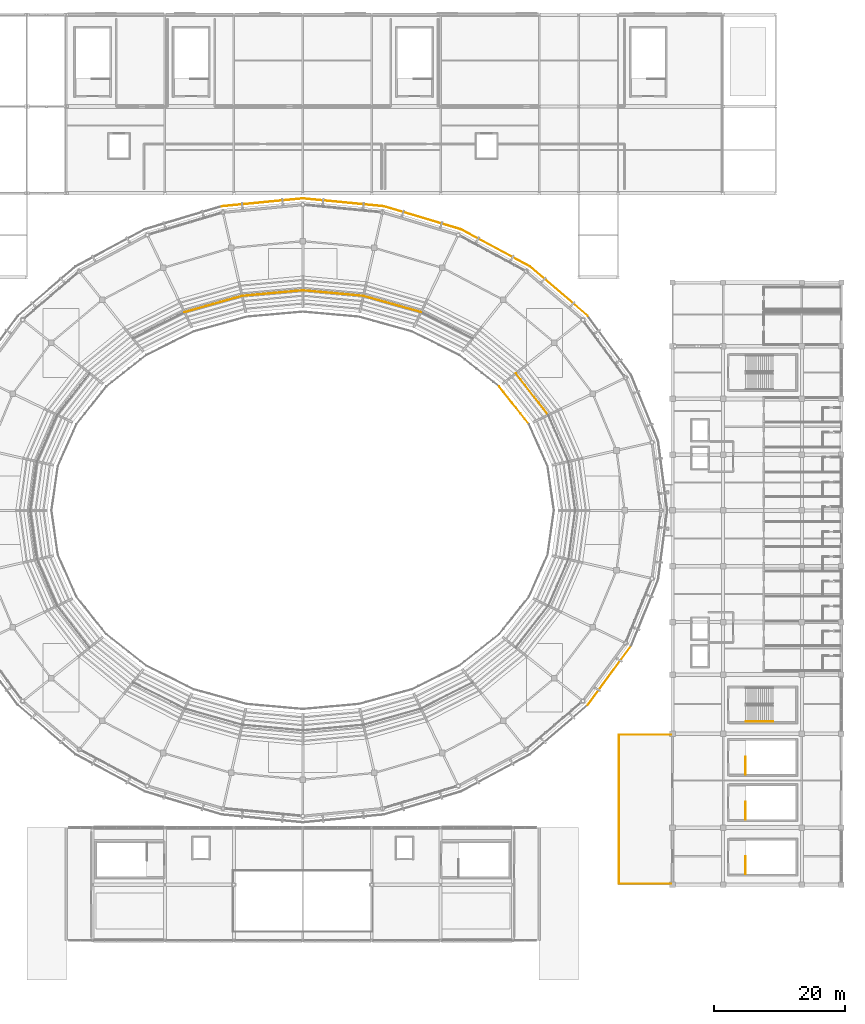
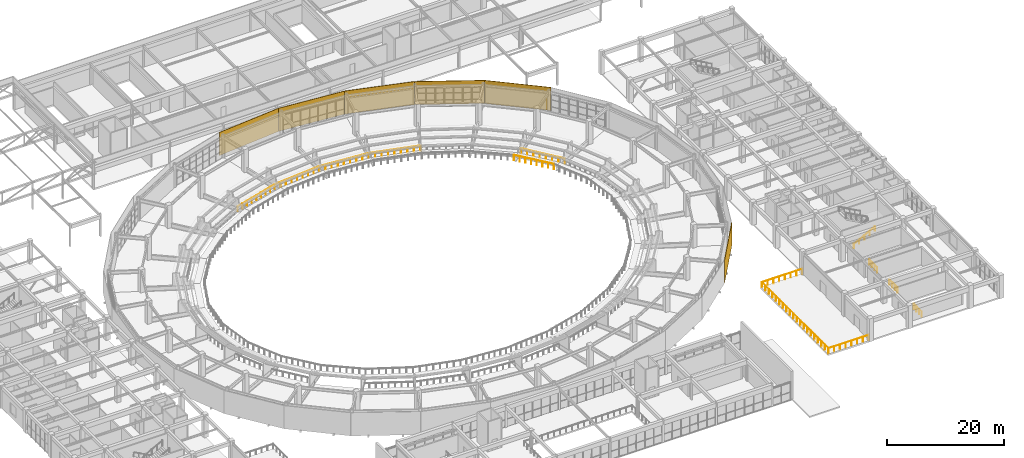
# One storey, part 118 of 122: 13 railings, 6 coverings.
"""IFC4 building model written with IfcOpenShell, lengths in metres."""

from ifc_helpers import new_model, si_unit, direction, frame, frame_2d, origin, origin_2d, place, context, subcontext, project, spatial, rectangle, circle, extrude, material, layer, layer_set, type_object, element, save


model = new_model("IFC4")

# Units and contexts
model_context = context("Model", 3, precision=1e-05, world=origin(), true_north=direction((0.0, 1.0)))
body_context = subcontext(model_context, "Body", "Model", "MODEL_VIEW")
ifc_project = project(units=[si_unit("LENGTHUNIT", "METRE"), si_unit("AREAUNIT", "SQUARE_METRE"), si_unit("VOLUMEUNIT", "CUBIC_METRE"), si_unit("PLANEANGLEUNIT", "RADIAN"), si_unit("MASSUNIT", "GRAM", prefix="KILO")], contexts=[model_context])

# Site, building, storey
site_placement = place(None, origin())
site = spatial("IfcSite", under=ifc_project, at=site_placement, CompositionType="ELEMENT")
building_placement = place(site_placement, origin())
building = spatial("IfcBuilding", under=site, at=building_placement, Name="Cuetzalor Civic Arena", CompositionType="ELEMENT")
storey_placement = place(building_placement, frame((0.0, 0.0, 16.199951171875)))
storey = spatial("IfcBuildingStorey", under=building, at=storey_placement, Name="L03", CompositionType="ELEMENT", Elevation=16.199951171875)

# Railings
ifc_material_1 = material(Name="Reseda-green Steel S355 and laminated glass guard", Category="steel")
railing_type_1 = type_object("IfcRailingType", Name="BowlSightlineGuard_1100", PredefinedType="BALUSTRADE", material=ifc_material_1)
railing_1_placement = place(storey_placement, frame((34.462158203125, 13.125, 0.75)))
element("IfcRailing", 1, at=railing_1_placement, inside=storey, type_object=railing_type_1, Name="Upper Bowl Cantilever Sightline Guard S03", PredefinedType="BALUSTRADE", context=body_context, shape_type="SweptSolid", body=[
    extrude(circle(Radius=0.02392578125, at=origin_2d()), frame((0.0, 0.0, 1.076171875), z_axis=(-0.622082297612, 0.782951859949, 0.0), x_axis=(-0.782951859949, -0.622082297612, 0.0)), (0.0, 0.0, 1.0), 7.32568359375),
    extrude(circle(Radius=0.02099609375, at=origin_2d()), origin(), (0.0, 0.0, 1.0), 1.052001953125),
    extrude(circle(Radius=0.02099609375, at=origin_2d()), frame((-0.651123046875, 0.8193359375, 0.0)), (0.0, 0.0, 1.0), 1.052001953125),
    extrude(circle(Radius=0.02099609375, at=origin_2d()), frame((-1.302001953125, 1.638671875, 0.0)), (0.0, 0.0, 1.0), 1.052001953125),
    extrude(circle(Radius=0.02099609375, at=origin_2d()), frame((-1.953125, 2.4580078125, 0.0)), (0.0, 0.0, 1.0), 1.052001953125),
    extrude(circle(Radius=0.02099609375, at=origin_2d()), frame((-2.60400390625, 3.277587890625, 0.0)), (0.0, 0.0, 1.0), 1.052001953125),
    extrude(circle(Radius=0.02099609375, at=origin_2d()), frame((-3.255126953125, 4.096923828125, 0.0)), (0.0, 0.0, 1.0), 1.052001953125),
    extrude(circle(Radius=0.02099609375, at=origin_2d()), frame((-3.906005859375, 4.916259765625, 0.0)), (0.0, 0.0, 1.0), 1.052001953125),
    extrude(circle(Radius=0.02099609375, at=origin_2d()), frame((-4.55712890625, 5.735595703125, 0.0)), (0.0, 0.0, 1.0), 1.052001953125),
])
railing_2_placement = place(storey_placement, frame((37.39013671875, 14.53515625, 0.0)))
element("IfcRailing", 2, at=railing_2_placement, inside=storey, type_object=railing_type_1, Name="Upper Concourse Inner Rim Balustrade S03", PredefinedType="BALUSTRADE", context=body_context, shape_type="SweptSolid", body=[
    extrude(circle(Radius=0.02392578125, at=origin_2d()), frame((0.0, 0.0, 1.076171875), z_axis=(-0.614234549024, 0.78912351301, 0.0), x_axis=(-0.78912351301, -0.614234549024, 0.0)), (0.0, 0.0, 1.0), 8.049072265625),
    extrude(circle(Radius=0.02099609375, at=origin_2d()), origin(), (0.0, 0.0, 1.0), 1.052001953125),
    extrude(circle(Radius=0.02099609375, at=origin_2d()), frame((-0.706298828125, 0.907470703125, 0.0)), (0.0, 0.0, 1.0), 1.052001953125),
    extrude(circle(Radius=0.02099609375, at=origin_2d()), frame((-1.41259765625, 1.814697265625, 0.0)), (0.0, 0.0, 1.0), 1.052001953125),
    extrude(circle(Radius=0.02099609375, at=origin_2d()), frame((-2.118896484375, 2.72216796875, 0.0)), (0.0, 0.0, 1.0), 1.052001953125),
    extrude(circle(Radius=0.02099609375, at=origin_2d()), frame((-2.8251953125, 3.629638671875, 0.0)), (0.0, 0.0, 1.0), 1.052001953125),
    extrude(circle(Radius=0.02099609375, at=origin_2d()), frame((-3.531494140625, 4.537109375, 0.0)), (0.0, 0.0, 1.0), 1.052001953125),
    extrude(circle(Radius=0.02099609375, at=origin_2d()), frame((-4.23779296875, 5.4443359375, 0.0)), (0.0, 0.0, 1.0), 1.052001953125),
    extrude(circle(Radius=0.02099609375, at=origin_2d()), frame((-4.944091796875, 6.351806640625, 0.0)), (0.0, 0.0, 1.0), 1.052001953125),
])
railing_3_placement = place(storey_placement, frame((18.006103515625, 30.1826171875, 0.0)))
element("IfcRailing", 3, at=railing_3_placement, inside=storey, type_object=railing_type_1, Name="Upper Concourse Inner Rim Balustrade S06", PredefinedType="BALUSTRADE", context=body_context, shape_type="SweptSolid", body=[
    extrude(circle(Radius=0.02392578125, at=origin_2d()), frame((0.0, 0.0, 1.076171875), z_axis=(-0.962348405043, 0.271818960543, 0.0), x_axis=(-0.271818960543, -0.962348405043, 0.0)), (0.0, 0.0, 1.0), 9.11474609375),
    extrude(circle(Radius=0.02099609375, at=origin_2d()), origin(), (0.0, 0.0, 1.0), 1.052001953125),
    extrude(circle(Radius=0.02099609375, at=origin_2d()), frame((-1.096435546875, 0.3095703125, 0.0)), (0.0, 0.0, 1.0), 1.052001953125),
    extrude(circle(Radius=0.02099609375, at=origin_2d()), frame((-2.19287109375, 0.619384765625, 0.0)), (0.0, 0.0, 1.0), 1.052001953125),
    extrude(circle(Radius=0.02099609375, at=origin_2d()), frame((-3.289306640625, 0.92919921875, 0.0)), (0.0, 0.0, 1.0), 1.052001953125),
    extrude(circle(Radius=0.02099609375, at=origin_2d()), frame((-4.3857421875, 1.23876953125, 0.0)), (0.0, 0.0, 1.0), 1.052001953125),
    extrude(circle(Radius=0.02099609375, at=origin_2d()), frame((-5.482177734375, 1.54833984375, 0.0)), (0.0, 0.0, 1.0), 1.052001953125),
    extrude(circle(Radius=0.02099609375, at=origin_2d()), frame((-6.57861328125, 1.858154296875, 0.0)), (0.0, 0.0, 1.0), 1.052001953125),
    extrude(circle(Radius=0.02099609375, at=origin_2d()), frame((-7.675048828125, 2.16796875, 0.0)), (0.0, 0.0, 1.0), 1.052001953125),
    extrude(circle(Radius=0.02099609375, at=origin_2d()), frame((-8.771484375, 2.4775390625, 0.0)), (0.0, 0.0, 1.0), 1.052001953125),
])
railing_4_placement = place(storey_placement, frame((9.234619140625, 32.66015625, 0.0)))
element("IfcRailing", 4, at=railing_4_placement, inside=storey, type_object=railing_type_1, Name="Upper Concourse Inner Rim Balustrade S07", PredefinedType="BALUSTRADE", context=body_context, shape_type="SweptSolid", body=[
    extrude(circle(Radius=0.02392578125, at=origin_2d()), frame((0.0, 0.0, 1.076171875), z_axis=(-0.995889968673, 0.090571354719, 0.0), x_axis=(-0.090571354719, -0.995889968673, 0.0)), (0.0, 0.0, 1.0), 9.272705078125),
    extrude(circle(Radius=0.02099609375, at=origin_2d()), origin(), (0.0, 0.0, 1.0), 1.052001953125),
    extrude(circle(Radius=0.02099609375, at=origin_2d()), frame((-1.154296875, 0.10498046875, 0.0)), (0.0, 0.0, 1.0), 1.052001953125),
    extrude(circle(Radius=0.02099609375, at=origin_2d()), frame((-2.30859375, 0.2099609375, 0.0)), (0.0, 0.0, 1.0), 1.052001953125),
    extrude(circle(Radius=0.02099609375, at=origin_2d()), frame((-3.462890625, 0.31494140625, 0.0)), (0.0, 0.0, 1.0), 1.052001953125),
    extrude(circle(Radius=0.02099609375, at=origin_2d()), frame((-4.6171875, 0.419921875, 0.0)), (0.0, 0.0, 1.0), 1.052001953125),
    extrude(circle(Radius=0.02099609375, at=origin_2d()), frame((-5.771728515625, 0.52490234375, 0.0)), (0.0, 0.0, 1.0), 1.052001953125),
    extrude(circle(Radius=0.02099609375, at=origin_2d()), frame((-6.926025390625, 0.6298828125, 0.0)), (0.0, 0.0, 1.0), 1.052001953125),
    extrude(circle(Radius=0.02099609375, at=origin_2d()), frame((-8.080322265625, 0.73486328125, 0.0)), (0.0, 0.0, 1.0), 1.052001953125),
    extrude(circle(Radius=0.02099609375, at=origin_2d()), frame((-9.234619140625, 0.83984375, 0.0)), (0.0, 0.0, 1.0), 1.052001953125),
])
railing_5_placement = place(storey_placement, frame((0.0, 33.5, 0.0)))
element("IfcRailing", 5, at=railing_5_placement, inside=storey, type_object=railing_type_1, Name="Upper Concourse Inner Rim Balustrade S08", PredefinedType="BALUSTRADE", context=body_context, shape_type="SweptSolid", body=[
    extrude(circle(Radius=0.02392578125, at=origin_2d()), frame((0.0, 0.0, 1.076171875), z_axis=(-0.995889968673, -0.090571354719, 0.0), x_axis=(0.090571354719, -0.995889968673, 0.0)), (0.0, 0.0, 1.0), 9.272705078125),
    extrude(circle(Radius=0.02099609375, at=origin_2d()), origin(), (0.0, 0.0, 1.0), 1.052001953125),
    extrude(circle(Radius=0.02099609375, at=origin_2d()), frame((-1.154296875, -0.10498046875, 0.0)), (0.0, 0.0, 1.0), 1.052001953125),
    extrude(circle(Radius=0.02099609375, at=origin_2d()), frame((-2.30859375, -0.2099609375, 0.0)), (0.0, 0.0, 1.0), 1.052001953125),
    extrude(circle(Radius=0.02099609375, at=origin_2d()), frame((-3.462890625, -0.31494140625, 0.0)), (0.0, 0.0, 1.0), 1.052001953125),
    extrude(circle(Radius=0.02099609375, at=origin_2d()), frame((-4.6171875, -0.419921875, 0.0)), (0.0, 0.0, 1.0), 1.052001953125),
    extrude(circle(Radius=0.02099609375, at=origin_2d()), frame((-5.771728515625, -0.52490234375, 0.0)), (0.0, 0.0, 1.0), 1.052001953125),
    extrude(circle(Radius=0.02099609375, at=origin_2d()), frame((-6.926025390625, -0.6298828125, 0.0)), (0.0, 0.0, 1.0), 1.052001953125),
    extrude(circle(Radius=0.02099609375, at=origin_2d()), frame((-8.080322265625, -0.73486328125, 0.0)), (0.0, 0.0, 1.0), 1.052001953125),
    extrude(circle(Radius=0.02099609375, at=origin_2d()), frame((-9.234619140625, -0.83984375, 0.0)), (0.0, 0.0, 1.0), 1.052001953125),
])
railing_6_placement = place(storey_placement, frame((-9.234619140625, 32.66015625, 0.0)))
element("IfcRailing", 6, at=railing_6_placement, inside=storey, type_object=railing_type_1, Name="Upper Concourse Inner Rim Balustrade S09", PredefinedType="BALUSTRADE", context=body_context, shape_type="SweptSolid", body=[
    extrude(circle(Radius=0.02392578125, at=origin_2d()), frame((0.0, 0.0, 1.076171875), z_axis=(-0.962348405043, -0.271818960543, 0.0), x_axis=(0.271818960543, -0.962348405043, 0.0)), (0.0, 0.0, 1.0), 9.11474609375),
    extrude(circle(Radius=0.02099609375, at=origin_2d()), origin(), (0.0, 0.0, 1.0), 1.052001953125),
    extrude(circle(Radius=0.02099609375, at=origin_2d()), frame((-1.096435546875, -0.3095703125, 0.0)), (0.0, 0.0, 1.0), 1.052001953125),
    extrude(circle(Radius=0.02099609375, at=origin_2d()), frame((-2.19287109375, -0.619384765625, 0.0)), (0.0, 0.0, 1.0), 1.052001953125),
    extrude(circle(Radius=0.02099609375, at=origin_2d()), frame((-3.289306640625, -0.92919921875, 0.0)), (0.0, 0.0, 1.0), 1.052001953125),
    extrude(circle(Radius=0.02099609375, at=origin_2d()), frame((-4.3857421875, -1.23876953125, 0.0)), (0.0, 0.0, 1.0), 1.052001953125),
    extrude(circle(Radius=0.02099609375, at=origin_2d()), frame((-5.482177734375, -1.54833984375, 0.0)), (0.0, 0.0, 1.0), 1.052001953125),
    extrude(circle(Radius=0.02099609375, at=origin_2d()), frame((-6.57861328125, -1.858154296875, 0.0)), (0.0, 0.0, 1.0), 1.052001953125),
    extrude(circle(Radius=0.02099609375, at=origin_2d()), frame((-7.675048828125, -2.16796875, 0.0)), (0.0, 0.0, 1.0), 1.052001953125),
    extrude(circle(Radius=0.02099609375, at=origin_2d()), frame((-8.771484375, -2.4775390625, 0.0)), (0.0, 0.0, 1.0), 1.052001953125),
])
ifc_material_2 = material(Name="Reseda-green architectural Steel S355 balustrade", Category="steel")
railing_type_2 = type_object("IfcRailingType", Name="InteriorVoidBalustrade_1100", PredefinedType="BALUSTRADE", material=ifc_material_2)
railing_7_placement = place(storey_placement, frame((67.39990234375, -55.39990234375, 0.0)))
element("IfcRailing", 7, at=railing_7_placement, inside=storey, type_object=railing_type_2, Name="L03 ST-18 top well guard 1", PredefinedType="BALUSTRADE", context=body_context, shape_type="SweptSolid", body=[
    extrude(circle(Radius=0.02392578125, at=origin_2d()), frame((0.0, 0.0, 1.0810546875), z_axis=(0.0, 1.0, 0.0), x_axis=(-1.0, 0.0, 0.0)), (0.0, 0.0, 1.0), 2.699951171875),
    extrude(circle(Radius=0.02099609375, at=origin_2d()), origin(), (0.0, 0.0, 1.0), 1.056884765625),
    extrude(circle(Radius=0.02099609375, at=origin_2d()), frame((0.0, 0.89990234375, 0.0)), (0.0, 0.0, 1.0), 1.056884765625),
    extrude(circle(Radius=0.02099609375, at=origin_2d()), frame((0.0, 1.800048828125, 0.0)), (0.0, 0.0, 1.0), 1.056884765625),
    extrude(circle(Radius=0.02099609375, at=origin_2d()), frame((0.0, 2.699951171875, 0.0)), (0.0, 0.0, 1.0), 1.056884765625),
])
railing_8_placement = place(storey_placement, frame((67.39990234375, -47.10009765625, 0.0)))
element("IfcRailing", 8, at=railing_8_placement, inside=storey, type_object=railing_type_2, Name="L03 ST-19 top well guard 1", PredefinedType="BALUSTRADE", context=body_context, shape_type="SweptSolid", body=[
    extrude(circle(Radius=0.02392578125, at=origin_2d()), frame((0.0, 0.0, 1.0810546875), z_axis=(0.0, 1.0, 0.0), x_axis=(-1.0, 0.0, 0.0)), (0.0, 0.0, 1.0), 2.7001953125),
    extrude(circle(Radius=0.02099609375, at=origin_2d()), origin(), (0.0, 0.0, 1.0), 1.056884765625),
    extrude(circle(Radius=0.02099609375, at=origin_2d()), frame((0.0, 0.900146484375, 0.0)), (0.0, 0.0, 1.0), 1.056884765625),
    extrude(circle(Radius=0.02099609375, at=origin_2d()), frame((0.0, 1.800048828125, 0.0)), (0.0, 0.0, 1.0), 1.056884765625),
    extrude(circle(Radius=0.02099609375, at=origin_2d()), frame((0.0, 2.7001953125, 0.0)), (0.0, 0.0, 1.0), 1.056884765625),
])
railing_9_placement = place(storey_placement, frame((67.39990234375, -40.199951171875, 0.0)))
element("IfcRailing", 9, at=railing_9_placement, inside=storey, type_object=railing_type_2, Name="L03 ST-20 top well guard 1", PredefinedType="BALUSTRADE", context=body_context, shape_type="SweptSolid", body=[
    extrude(circle(Radius=0.02392578125, at=origin_2d()), frame((0.0, 0.0, 1.0810546875), z_axis=(0.0, 1.0, 0.0), x_axis=(-1.0, 0.0, 0.0)), (0.0, 0.0, 1.0), 2.699951171875),
    extrude(circle(Radius=0.02099609375, at=origin_2d()), origin(), (0.0, 0.0, 1.0), 1.056884765625),
    extrude(circle(Radius=0.02099609375, at=origin_2d()), frame((0.0, 0.89990234375, 0.0)), (0.0, 0.0, 1.0), 1.056884765625),
    extrude(circle(Radius=0.02099609375, at=origin_2d()), frame((0.0, 1.800048828125, 0.0)), (0.0, 0.0, 1.0), 1.056884765625),
    extrude(circle(Radius=0.02099609375, at=origin_2d()), frame((0.0, 2.699951171875, 0.0)), (0.0, 0.0, 1.0), 1.056884765625),
])
ifc_material_3 = material(Name="Galvanised steel S355", Category="steel")
railing_type_3 = type_object("IfcRailingType", Name="StairPitchHandrail_900", PredefinedType="HANDRAIL", material=ifc_material_3)
railing_10_placement = place(storey_placement, frame((67.449951171875, -32.14990234375, 0.17138671875)))
element("IfcRailing", 10, at=railing_10_placement, inside=storey, type_object=railing_type_3, Name="L03 ST-21 stair handrail 1", PredefinedType="HANDRAIL", context=body_context, shape_type="SweptSolid", body=[
    extrude(circle(Radius=0.02392578125, at=origin_2d()), frame((0.0, 0.0, 0.8759765625), z_axis=(0.880227283719, 0.0, 0.474552345897), x_axis=(0.0, 1.0, 0.0)), (0.0, 0.0, 1.0), 4.696533203125),
    extrude(circle(Radius=0.02099609375, at=origin_2d()), origin(), (0.0, 0.0, 1.0), 0.851806640625),
    extrude(circle(Radius=0.02099609375, at=origin_2d()), frame((1.033447265625, 0.0, 0.55712890625)), (0.0, 0.0, 1.0), 0.851806640625),
    extrude(circle(Radius=0.02099609375, at=origin_2d()), frame((2.06689453125, 0.0, 1.1142578125)), (0.0, 0.0, 1.0), 0.851806640625),
    extrude(circle(Radius=0.02099609375, at=origin_2d()), frame((3.1005859375, 0.0, 1.671630859375)), (0.0, 0.0, 1.0), 0.851806640625),
    extrude(circle(Radius=0.02099609375, at=origin_2d()), frame((4.134033203125, 0.0, 2.228759765625)), (0.0, 0.0, 1.0), 0.851806640625),
])
ifc_material_4 = material(Name="Reseda-green architectural Steel S355 balustrade", Category="steel")
railing_type_4 = type_object("IfcRailingType", Name="TerraceBalustrade_1100", PredefinedType="BALUSTRADE", material=ifc_material_4)
railing_11_placement = place(storey_placement, frame((56.10009765625, -56.85009765625, 0.0)))
element("IfcRailing", 11, at=railing_11_placement, inside=storey, type_object=railing_type_4, Name="Planted Roof Garden V4E L03 Balustrade 1", PredefinedType="BALUSTRADE", context=body_context, shape_type="SweptSolid", body=[
    extrude(circle(Radius=0.02392578125, at=origin_2d()), frame((0.0, 0.0, 1.076171875), z_axis=(-1.0, 0.0, 0.0), x_axis=(0.0, -1.0, 0.0)), (0.0, 0.0, 1.0), 7.9501953125),
    extrude(circle(Radius=0.02099609375, at=origin_2d()), origin(), (0.0, 0.0, 1.0), 1.052001953125),
    extrude(circle(Radius=0.02099609375, at=origin_2d()), frame((-1.1357421875, 0.0, 0.0)), (0.0, 0.0, 1.0), 1.052001953125),
    extrude(circle(Radius=0.02099609375, at=origin_2d()), frame((-2.271484375, 0.0, 0.0)), (0.0, 0.0, 1.0), 1.052001953125),
    extrude(circle(Radius=0.02099609375, at=origin_2d()), frame((-3.4072265625, 0.0, 0.0)), (0.0, 0.0, 1.0), 1.052001953125),
    extrude(circle(Radius=0.02099609375, at=origin_2d()), frame((-4.54296875, 0.0, 0.0)), (0.0, 0.0, 1.0), 1.052001953125),
    extrude(circle(Radius=0.02099609375, at=origin_2d()), frame((-5.6787109375, 0.0, 0.0)), (0.0, 0.0, 1.0), 1.052001953125),
    extrude(circle(Radius=0.02099609375, at=origin_2d()), frame((-6.814453125, 0.0, 0.0)), (0.0, 0.0, 1.0), 1.052001953125),
    extrude(circle(Radius=0.02099609375, at=origin_2d()), frame((-7.9501953125, 0.0, 0.0)), (0.0, 0.0, 1.0), 1.052001953125),
])
railing_12_placement = place(storey_placement, frame((48.14990234375, -56.85009765625, 0.0)))
element("IfcRailing", 12, at=railing_12_placement, inside=storey, type_object=railing_type_4, Name="Planted Roof Garden V4E L03 Balustrade 2", PredefinedType="BALUSTRADE", context=body_context, shape_type="SweptSolid", body=[
    extrude(circle(Radius=0.02392578125, at=origin_2d()), frame((0.0, 0.0, 1.076171875), z_axis=(0.0, 1.0, 0.0), x_axis=(-1.0, 0.0, 0.0)), (0.0, 0.0, 1.0), 22.7001953125),
    extrude(circle(Radius=0.02099609375, at=origin_2d()), origin(), (0.0, 0.0, 1.0), 1.052001953125),
    extrude(circle(Radius=0.02099609375, at=origin_2d()), frame((0.0, 1.19482421875, 0.0)), (0.0, 0.0, 1.0), 1.052001953125),
    extrude(circle(Radius=0.02099609375, at=origin_2d()), frame((0.0, 2.389404296875, 0.0)), (0.0, 0.0, 1.0), 1.052001953125),
    extrude(circle(Radius=0.02099609375, at=origin_2d()), frame((0.0, 3.584228515625, 0.0)), (0.0, 0.0, 1.0), 1.052001953125),
    extrude(circle(Radius=0.02099609375, at=origin_2d()), frame((0.0, 4.779052734375, 0.0)), (0.0, 0.0, 1.0), 1.052001953125),
    extrude(circle(Radius=0.02099609375, at=origin_2d()), frame((0.0, 5.9736328125, 0.0)), (0.0, 0.0, 1.0), 1.052001953125),
    extrude(circle(Radius=0.02099609375, at=origin_2d()), frame((0.0, 7.16845703125, 0.0)), (0.0, 0.0, 1.0), 1.052001953125),
    extrude(circle(Radius=0.02099609375, at=origin_2d()), frame((0.0, 8.36328125, 0.0)), (0.0, 0.0, 1.0), 1.052001953125),
    extrude(circle(Radius=0.02099609375, at=origin_2d()), frame((0.0, 9.557861328125, 0.0)), (0.0, 0.0, 1.0), 1.052001953125),
    extrude(circle(Radius=0.02099609375, at=origin_2d()), frame((0.0, 10.752685546875, 0.0)), (0.0, 0.0, 1.0), 1.052001953125),
    extrude(circle(Radius=0.02099609375, at=origin_2d()), frame((0.0, 11.947509765625, 0.0)), (0.0, 0.0, 1.0), 1.052001953125),
    extrude(circle(Radius=0.02099609375, at=origin_2d()), frame((0.0, 13.142333984375, 0.0)), (0.0, 0.0, 1.0), 1.052001953125),
    extrude(circle(Radius=0.02099609375, at=origin_2d()), frame((0.0, 14.3369140625, 0.0)), (0.0, 0.0, 1.0), 1.052001953125),
    extrude(circle(Radius=0.02099609375, at=origin_2d()), frame((0.0, 15.53173828125, 0.0)), (0.0, 0.0, 1.0), 1.052001953125),
    extrude(circle(Radius=0.02099609375, at=origin_2d()), frame((0.0, 16.7265625, 0.0)), (0.0, 0.0, 1.0), 1.052001953125),
    extrude(circle(Radius=0.02099609375, at=origin_2d()), frame((0.0, 17.921142578125, 0.0)), (0.0, 0.0, 1.0), 1.052001953125),
    extrude(circle(Radius=0.02099609375, at=origin_2d()), frame((0.0, 19.115966796875, 0.0)), (0.0, 0.0, 1.0), 1.052001953125),
    extrude(circle(Radius=0.02099609375, at=origin_2d()), frame((0.0, 20.310791015625, 0.0)), (0.0, 0.0, 1.0), 1.052001953125),
    extrude(circle(Radius=0.02099609375, at=origin_2d()), frame((0.0, 21.50537109375, 0.0)), (0.0, 0.0, 1.0), 1.052001953125),
    extrude(circle(Radius=0.02099609375, at=origin_2d()), frame((0.0, 22.7001953125, 0.0)), (0.0, 0.0, 1.0), 1.052001953125),
])
railing_13_placement = place(storey_placement, frame((48.14990234375, -34.14990234375, 0.0)))
element("IfcRailing", 13, at=railing_13_placement, inside=storey, type_object=railing_type_4, Name="Planted Roof Garden V4E L03 Balustrade 3", PredefinedType="BALUSTRADE", context=body_context, shape_type="SweptSolid", body=[
    extrude(circle(Radius=0.02392578125, at=origin_2d()), frame((0.0, 0.0, 1.076171875), z_axis=(1.0, 0.0, 0.0), x_axis=(0.0, 1.0, 0.0)), (0.0, 0.0, 1.0), 7.9501953125),
    extrude(circle(Radius=0.02099609375, at=origin_2d()), origin(), (0.0, 0.0, 1.0), 1.052001953125),
    extrude(circle(Radius=0.02099609375, at=origin_2d()), frame((1.1357421875, 0.0, 0.0)), (0.0, 0.0, 1.0), 1.052001953125),
    extrude(circle(Radius=0.02099609375, at=origin_2d()), frame((2.271484375, 0.0, 0.0)), (0.0, 0.0, 1.0), 1.052001953125),
    extrude(circle(Radius=0.02099609375, at=origin_2d()), frame((3.4072265625, 0.0, 0.0)), (0.0, 0.0, 1.0), 1.052001953125),
    extrude(circle(Radius=0.02099609375, at=origin_2d()), frame((4.54296875, 0.0, 0.0)), (0.0, 0.0, 1.0), 1.052001953125),
    extrude(circle(Radius=0.02099609375, at=origin_2d()), frame((5.6787109375, 0.0, 0.0)), (0.0, 0.0, 1.0), 1.052001953125),
    extrude(circle(Radius=0.02099609375, at=origin_2d()), frame((6.814453125, 0.0, 0.0)), (0.0, 0.0, 1.0), 1.052001953125),
    extrude(circle(Radius=0.02099609375, at=origin_2d()), frame((7.9501953125, 0.0, 0.0)), (0.0, 0.0, 1.0), 1.052001953125),
])

# Coverings
ifc_material_5 = material(Name="Terracotta-red perforated anodised aluminium panel", Category="masonry")
ifc_layer = layer(ifc_material_5, 0.080078125)
ifc_layer_set = layer_set([ifc_layer], Name="Terracotta-red perforated anodised aluminium panel")
covering_type = type_object("IfcCoveringType", Name="TerracottaPerforatedScreenPanel", PredefinedType="CLADDING", material=ifc_layer_set)
covering_1_placement = place(storey_placement, frame((34.603759765625, 37.136962890625, -0.139892578125), z_axis=(0.0, 0.0, 1.0), x_axis=(0.759734649699, -0.650233236652, 0.0)))
element("IfcCovering", 14, at=covering_1_placement, inside=storey, type_object=covering_type, Name="Terracotta Perforated Drum Screen L03-S04", PredefinedType="CLADDING", context=body_context, shape_type="SweptSolid", body=[
    extrude(rectangle(XDim=11.56689453125, YDim=0.080078125, at=frame_2d((5.783447265625, 0.0))), origin(), (0.0, 0.0, 1.0), 4.81982421875),
])
covering_2_placement = place(storey_placement, frame((24.08056640625, 42.7958984375, -0.139892578125), z_axis=(0.0, 0.0, 1.0), x_axis=(0.880729476331, -0.473619667584, 0.0)))
element("IfcCovering", 15, at=covering_2_placement, inside=storey, type_object=covering_type, Name="Terracotta Perforated Drum Screen L03-S05", PredefinedType="CLADDING", context=body_context, shape_type="SweptSolid", body=[
    extrude(rectangle(XDim=11.9482421875, YDim=0.080078125, at=frame_2d((5.97412109375, 0.0))), origin(), (0.0, 0.0, 1.0), 4.81982421875),
])
covering_3_placement = place(storey_placement, frame((12.349853515625, 46.30908203125, -0.139892578125), z_axis=(0.0, 0.0, 1.0), x_axis=(0.957961714935, -0.286896066056, 0.0)))
element("IfcCovering", 16, at=covering_3_placement, inside=storey, type_object=covering_type, Name="Terracotta Perforated Drum Screen L03-S06", PredefinedType="CLADDING", context=body_context, shape_type="SweptSolid", body=[
    extrude(rectangle(XDim=12.24560546875, YDim=0.080078125, at=frame_2d((6.122802734375, 0.0))), origin(), (0.0, 0.0, 1.0), 4.81982421875),
])
for number, where, z_axis, x_axis, name in (
    (17, (0.0, 47.5, -0.139892578125), (0.0, 0.0, 1.0), (0.995382637025, -0.095986488157, 0.0), "Terracotta Perforated Drum Screen L03-S07"),
    (18, (-12.349853515625, 46.30908203125, -0.139892578125), (0.0, 0.0, 1.0), (0.995382637025, 0.095986488157, 0.0), "Terracotta Perforated Drum Screen L03-S08"),
):
    element("IfcCovering", number, at=place(storey_placement, frame(where, z_axis=z_axis, x_axis=x_axis)), inside=storey, type_object=covering_type, Name=name, PredefinedType="CLADDING", context=body_context, shape_type="SweptSolid", body=[
        extrude(rectangle(XDim=12.4072265625, YDim=0.080078125, at=frame_2d((6.20361328125, 0.0))), origin(), (0.0, 0.0, 1.0), 4.81982421875),
    ])
covering_4_placement = place(storey_placement, frame((50.00390625, -20.609619140625, -0.139892578125), z_axis=(0.0, 0.0, 1.0), x_axis=(-0.591819224601, -0.806070719846, 0.0)))
element("IfcCovering", 19, at=covering_4_placement, inside=storey, type_object=covering_type, Name="Terracotta Perforated Drum Screen L03-S26", PredefinedType="CLADDING", context=body_context, shape_type="SweptSolid", body=[
    extrude(rectangle(XDim=11.1728515625, YDim=0.080078125, at=frame_2d((5.58642578125, 0.0))), origin(), (0.0, 0.0, 1.0), 4.81982421875),
])

save(model, "model.ifc")
